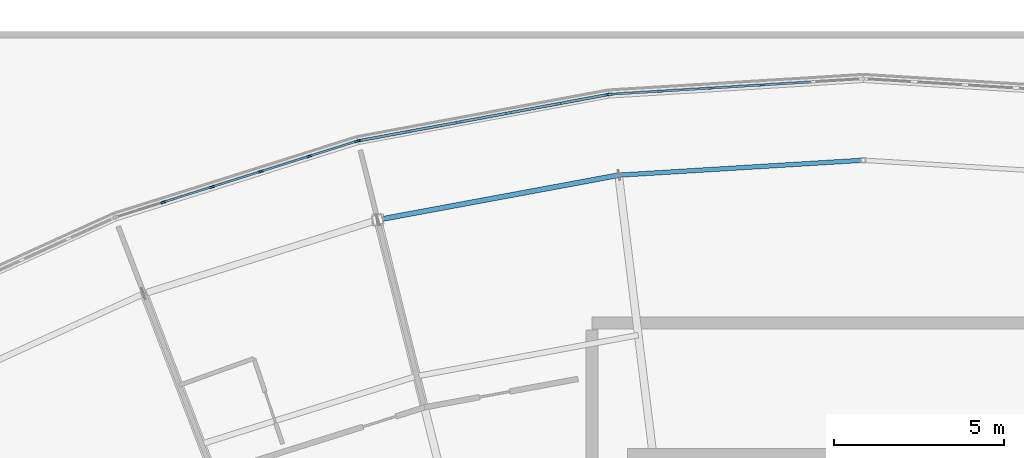
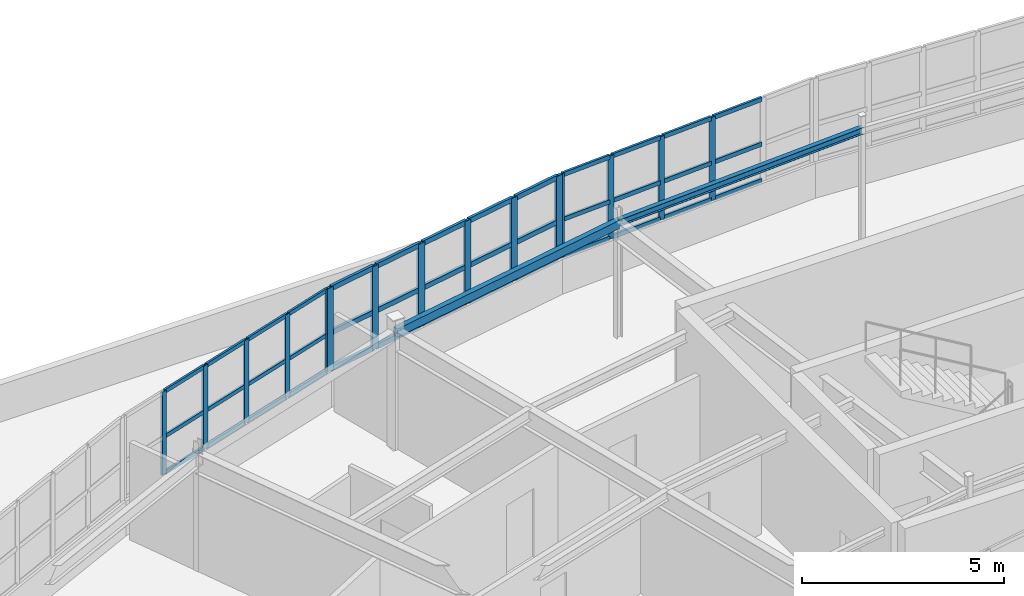
# One storey, part 46 of 128: 54 members, 2 beams, 3 elements without a shape of their own.
"""IFC4 building model written with IfcOpenShell, lengths in metres."""

from ifc_helpers import new_model, si_unit, direction, frame, origin, origin_2d, place, context, subcontext, project, spatial, rectangle, hollow_rectangle, i_section, extrude, material, layer, layer_set, material_profile, profile_set, type_object, element, aggregate, save


model = new_model("IFC4")

# Units and contexts
model_context = context("Model", 3, precision=1e-05, world=origin(), true_north=direction((0.0, 1.0)))
body_context = subcontext(model_context, "Body", "Model", "MODEL_VIEW")
ifc_project = project(units=[si_unit("LENGTHUNIT", "METRE"), si_unit("AREAUNIT", "SQUARE_METRE"), si_unit("VOLUMEUNIT", "CUBIC_METRE"), si_unit("PLANEANGLEUNIT", "RADIAN"), si_unit("MASSUNIT", "GRAM", prefix="KILO")], contexts=[model_context])

# Site, building, storey
site_placement = place(None, origin())
site = spatial("IfcSite", under=ifc_project, at=site_placement, CompositionType="ELEMENT")
building_placement = place(site_placement, origin())
building = spatial("IfcBuilding", under=site, at=building_placement, Name="Tarnwether General Hospital", CompositionType="ELEMENT")
storey_placement = place(building_placement, frame((0.0, 0.0, 14.39990234375)))
storey = spatial("IfcBuildingStorey", under=building, at=storey_placement, Name="L03", CompositionType="ELEMENT", Elevation=14.39990234375)

# Beams
ifc_material_1 = material(Name="Steel Grade C350L0 (350 MPa)", Category="steel")
ifc_material_profile_1 = material_profile(ifc_material_1, hollow_rectangle(XDim=0.14990234375, YDim=0.25, WallThickness=0.010009765625, at=origin_2d()), Name="RHS250x150x10")
ifc_profile_set_1 = profile_set([ifc_material_profile_1], Name="Steel Grade C350L0 (350 MPa)")
beam_type_1 = type_object("IfcBeamType", Name="BM-SP4", PredefinedType="SPANDREL", material=ifc_profile_set_1)
beam_1_placement = place(storey_placement, frame((77.677978515625, 120.44189453125, 3.43505859375), z_axis=(0.98325623662, 0.182228354399, 0.0), x_axis=(-0.182228354399, 0.98325623662, 0.0)))
element("IfcBeam", 1, at=beam_1_placement, inside=storey, type_object=beam_type_1, Name="Curved Ward NW Outer Spandrel BMG-L03-7768_12044-8478_12176-1931", PredefinedType="SPANDREL", context=body_context, shape_type="SweptSolid", body=[
    extrude(hollow_rectangle(XDim=0.14990234375, YDim=0.25, WallThickness=0.010009765625, at=origin_2d()), origin(), (0.0, 0.0, 1.0), 7.22802734375),
])
ifc_material_2 = material(Name="Steel Grade 350 (350 MPa)", Category="steel")
ifc_material_profile_2 = material_profile(ifc_material_2, i_section(OverallWidth=0.133056640625, OverallDepth=0.202880859375, WebThickness=0.005859375, FlangeThickness=0.0078125, at=origin_2d()), Name="200UB25.4")
ifc_profile_set_2 = profile_set([ifc_material_profile_2], Name="Steel Grade 350 (350 MPa)")
beam_type_2 = type_object("IfcBeamType", Name="BM-SP5", PredefinedType="SPANDREL", material=ifc_profile_set_2)
beam_2_placement = place(storey_placement, frame((84.784912109375, 121.759033203125, 3.45849609375), z_axis=(0.998137964221, 0.060996757127, 0.0), x_axis=(-0.060996757127, 0.998137964221, 0.0)))
element("IfcBeam", 2, at=beam_2_placement, inside=storey, type_object=beam_type_2, Name="Curved Ward NW Outer Spandrel BMG-L03-8478_12176-9200_12220-1935", PredefinedType="SPANDREL", context=body_context, shape_type="SweptSolid", body=[
    extrude(i_section(OverallWidth=0.133056640625, OverallDepth=0.202880859375, WebThickness=0.005859375, FlangeThickness=0.0078125, at=origin_2d()), origin(), (0.0, 0.0, 1.0), 7.228515625),
])

# Curtain wall, members
ifc_material_3 = material(Name="Anodised aluminium", Category="aluminium")
ifc_layer = layer(ifc_material_3, 0.159912109375)
ifc_layer_set = layer_set([ifc_layer], Name="Anodised aluminium")
curtain_wall_type = type_object("IfcCurtainWallType", Name="CW-01", PredefinedType="NOTDEFINED", material=ifc_layer_set)
curtain_wall_1_placement = place(storey_placement, origin())
curtain_wall_1 = element("IfcCurtainWall", 3, at=curtain_wall_1_placement, inside=storey, type_object=curtain_wall_type, Name="Curtain Wall CWG-L03-699_1205-0029", PredefinedType="NOTDEFINED")
ifc_material_4 = material(Name="Anodised aluminium", Category="aluminium")
ifc_material_profile_3 = material_profile(ifc_material_4, rectangle(XDim=0.06005859375, YDim=0.159912109375, at=origin_2d()), Name="ALU-MUL-60x160")
ifc_profile_set_3 = profile_set([ifc_material_profile_3], Name="Anodised aluminium")
member_type_1 = type_object("IfcMemberType", Name="CW-ML1", PredefinedType="MULLION", material=ifc_profile_set_3)
member_1_placement = place(storey_placement, frame((71.359619140625, 120.961181640625, 1.050048828125), z_axis=(0.0, 0.0, 1.0), x_axis=(-0.300628613299, 0.953741284032, 0.0)))
member_1 = element("IfcMember", 4, at=member_1_placement, type_object=member_type_1, Name="CW-01 mullion 2", PredefinedType="MULLION", context=body_context, shape_type="SweptSolid", body=[
    extrude(rectangle(XDim=0.06005859375, YDim=0.159912109375, at=origin_2d()), origin(), (0.0, 0.0, 1.0), 2.510009765625),
])
member_2_placement = place(storey_placement, frame((72.794189453125, 121.413330078125, 1.050048828125), z_axis=(0.0, 0.0, 1.0), x_axis=(-0.300628613299, 0.953741284032, 0.0)))
member_2 = element("IfcMember", 5, at=member_2_placement, type_object=member_type_1, Name="CW-01 mullion 3", PredefinedType="MULLION", context=body_context, shape_type="SweptSolid", body=[
    extrude(rectangle(XDim=0.06005859375, YDim=0.159912109375, at=origin_2d()), origin(), (0.0, 0.0, 1.0), 2.510009765625),
])
member_3_placement = place(storey_placement, frame((74.228759765625, 121.865478515625, 1.050048828125), z_axis=(0.0, 0.0, 1.0), x_axis=(-0.300628613299, 0.953741284032, 0.0)))
member_3 = element("IfcMember", 6, at=member_3_placement, type_object=member_type_1, Name="CW-01 mullion 4", PredefinedType="MULLION", context=body_context, shape_type="SweptSolid", body=[
    extrude(rectangle(XDim=0.06005859375, YDim=0.159912109375, at=origin_2d()), origin(), (0.0, 0.0, 1.0), 2.510009765625),
])
member_4_placement = place(storey_placement, frame((75.663330078125, 122.31787109375, 1.050048828125), z_axis=(0.0, 0.0, 1.0), x_axis=(-0.300628613299, 0.953741284032, 0.0)))
member_4 = element("IfcMember", 7, at=member_4_placement, type_object=member_type_1, Name="CW-01 mullion 5", PredefinedType="MULLION", context=body_context, shape_type="SweptSolid", body=[
    extrude(rectangle(XDim=0.06005859375, YDim=0.159912109375, at=origin_2d()), origin(), (0.0, 0.0, 1.0), 2.510009765625),
])
member_5_placement = place(storey_placement, frame((77.0693359375, 122.760986328125, 1.050048828125), z_axis=(0.0, 0.0, 1.0), x_axis=(-0.300628613299, 0.953741284032, 0.0)))
member_5 = element("IfcMember", 8, at=member_5_placement, type_object=member_type_1, Name="CW-01 mullion 6", PredefinedType="MULLION", context=body_context, shape_type="SweptSolid", body=[
    extrude(rectangle(XDim=0.06005859375, YDim=0.159912109375, at=origin_2d()), origin(), (0.0, 0.0, 1.0), 2.510009765625),
])

curtain_wall_2_placement = place(storey_placement, origin())
curtain_wall_2 = element("IfcCurtainWall", 9, at=curtain_wall_2_placement, inside=storey, type_object=curtain_wall_type, Name="Curtain Wall CWG-L03-845_1241-0027", PredefinedType="NOTDEFINED")
ifc_material_5 = material(Name="Anodised aluminium", Category="aluminium")
ifc_material_profile_4 = material_profile(ifc_material_5, rectangle(XDim=0.06494140625, YDim=0.169921875, at=origin_2d()), Name="ALU-MUL-65x170")
ifc_profile_set_4 = profile_set([ifc_material_profile_4], Name="Anodised aluminium")
member_type_2 = type_object("IfcMemberType", Name="CW-ML3", PredefinedType="MULLION", material=ifc_profile_set_4)
member_6_placement = place(storey_placement, frame((84.525390625, 124.14306640625, 1.050048828125), z_axis=(0.0, 0.0, 1.0), x_axis=(-0.061028962567, 0.998135995608, 0.0)))
member_6 = element("IfcMember", 10, at=member_6_placement, type_object=member_type_2, Name="CW-01 mullion 1", PredefinedType="MULLION", context=body_context, shape_type="SweptSolid", body=[
    extrude(rectangle(XDim=0.06494140625, YDim=0.169921875, at=origin_2d()), origin(), (0.0, 0.0, 1.0), 2.510009765625),
])
member_7_placement = place(storey_placement, frame((85.994384765625, 124.23291015625, 1.050048828125), z_axis=(0.0, 0.0, 1.0), x_axis=(-0.061028962567, 0.998135995608, 0.0)))
member_7 = element("IfcMember", 11, at=member_7_placement, type_object=member_type_2, Name="CW-01 mullion 2", PredefinedType="MULLION", context=body_context, shape_type="SweptSolid", body=[
    extrude(rectangle(XDim=0.06494140625, YDim=0.169921875, at=origin_2d()), origin(), (0.0, 0.0, 1.0), 2.510009765625),
])
member_8_placement = place(storey_placement, frame((87.495849609375, 124.32470703125, 1.050048828125), z_axis=(0.0, 0.0, 1.0), x_axis=(-0.061028962567, 0.998135995608, 0.0)))
member_8 = element("IfcMember", 12, at=member_8_placement, type_object=member_type_2, Name="CW-01 mullion 3", PredefinedType="MULLION", context=body_context, shape_type="SweptSolid", body=[
    extrude(rectangle(XDim=0.06494140625, YDim=0.169921875, at=origin_2d()), origin(), (0.0, 0.0, 1.0), 2.510009765625),
])
member_9_placement = place(storey_placement, frame((88.997314453125, 124.41650390625, 1.050048828125), z_axis=(0.0, 0.0, 1.0), x_axis=(-0.061028962567, 0.998135995608, 0.0)))
member_9 = element("IfcMember", 13, at=member_9_placement, type_object=member_type_2, Name="CW-01 mullion 4", PredefinedType="MULLION", context=body_context, shape_type="SweptSolid", body=[
    extrude(rectangle(XDim=0.06494140625, YDim=0.169921875, at=origin_2d()), origin(), (0.0, 0.0, 1.0), 2.510009765625),
])

curtain_wall_3_placement = place(storey_placement, origin())
curtain_wall_3 = element("IfcCurtainWall", 14, at=curtain_wall_3_placement, inside=storey, type_object=curtain_wall_type, Name="Curtain Wall CWG-L03-771_1228-0028", PredefinedType="NOTDEFINED")
ifc_material_6 = material(Name="Anodised aluminium", Category="aluminium")
ifc_material_profile_5 = material_profile(ifc_material_6, rectangle(XDim=0.080078125, YDim=0.199951171875, at=origin_2d()), Name="ALU-MUL-80x200")
ifc_profile_set_5 = profile_set([ifc_material_profile_5], Name="Anodised aluminium")
member_type_3 = type_object("IfcMemberType", Name="CW-ML4", PredefinedType="MULLION", material=ifc_profile_set_5)
member_10_placement = place(storey_placement, frame((77.137451171875, 122.77734375, 1.050048828125), z_axis=(0.0, 0.0, 1.0), x_axis=(-0.182289226614, 0.983244953132, 0.0)))
member_10 = element("IfcMember", 15, at=member_10_placement, type_object=member_type_3, Name="CW-01 mullion 1", PredefinedType="MULLION", context=body_context, shape_type="SweptSolid", body=[
    extrude(rectangle(XDim=0.080078125, YDim=0.199951171875, at=origin_2d()), origin(), (0.0, 0.0, 1.0), 2.510009765625),
])
member_11_placement = place(storey_placement, frame((78.576904296875, 123.044189453125, 1.050048828125), z_axis=(0.0, 0.0, 1.0), x_axis=(-0.182289226614, 0.983244953132, 0.0)))
member_11 = element("IfcMember", 16, at=member_11_placement, type_object=member_type_3, Name="CW-01 mullion 2", PredefinedType="MULLION", context=body_context, shape_type="SweptSolid", body=[
    extrude(rectangle(XDim=0.080078125, YDim=0.199951171875, at=origin_2d()), origin(), (0.0, 0.0, 1.0), 2.510009765625),
])
member_12_placement = place(storey_placement, frame((80.055908203125, 123.318359375, 1.050048828125), z_axis=(0.0, 0.0, 1.0), x_axis=(-0.182289226614, 0.983244953132, 0.0)))
member_12 = element("IfcMember", 17, at=member_12_placement, type_object=member_type_3, Name="CW-01 mullion 3", PredefinedType="MULLION", context=body_context, shape_type="SweptSolid", body=[
    extrude(rectangle(XDim=0.080078125, YDim=0.199951171875, at=origin_2d()), origin(), (0.0, 0.0, 1.0), 2.510009765625),
])
member_13_placement = place(storey_placement, frame((81.534912109375, 123.592529296875, 1.050048828125), z_axis=(0.0, 0.0, 1.0), x_axis=(-0.182289226614, 0.983244953132, 0.0)))
member_13 = element("IfcMember", 18, at=member_13_placement, type_object=member_type_3, Name="CW-01 mullion 4", PredefinedType="MULLION", context=body_context, shape_type="SweptSolid", body=[
    extrude(rectangle(XDim=0.080078125, YDim=0.199951171875, at=origin_2d()), origin(), (0.0, 0.0, 1.0), 2.510009765625),
])
member_14_placement = place(storey_placement, frame((83.013916015625, 123.86669921875, 1.050048828125), z_axis=(0.0, 0.0, 1.0), x_axis=(-0.182289226614, 0.983244953132, 0.0)))
member_14 = element("IfcMember", 19, at=member_14_placement, type_object=member_type_3, Name="CW-01 mullion 5", PredefinedType="MULLION", context=body_context, shape_type="SweptSolid", body=[
    extrude(rectangle(XDim=0.080078125, YDim=0.199951171875, at=origin_2d()), origin(), (0.0, 0.0, 1.0), 2.510009765625),
])
member_15_placement = place(storey_placement, frame((84.45361328125, 124.1337890625, 1.050048828125), z_axis=(0.0, 0.0, 1.0), x_axis=(-0.182289226614, 0.983244953132, 0.0)))
member_15 = element("IfcMember", 20, at=member_15_placement, type_object=member_type_3, Name="CW-01 mullion 6", PredefinedType="MULLION", context=body_context, shape_type="SweptSolid", body=[
    extrude(rectangle(XDim=0.080078125, YDim=0.199951171875, at=origin_2d()), origin(), (0.0, 0.0, 1.0), 2.510009765625),
])

# Member
ifc_material_7 = material(Name="Anodised aluminium", Category="aluminium")
ifc_material_profile_6 = material_profile(ifc_material_7, rectangle(XDim=0.06005859375, YDim=0.1201171875, at=origin_2d()), Name="ALU-TRN-60x120")
ifc_profile_set_6 = profile_set([ifc_material_profile_6], Name="Anodised aluminium")
member_type_4 = type_object("IfcMemberType", Name="CW-TR1", PredefinedType="USERDEFINED", material=ifc_profile_set_6)
member_16_placement = place(storey_placement, frame((71.38818359375, 120.97021484375, 1.080078125), z_axis=(0.953761337275, 0.300564987181, 0.0), x_axis=(-0.300564987181, 0.953761337275, 0.0)))
member_16 = element("IfcMember", 21, at=member_16_placement, type_object=member_type_4, Name="CW-01 transom 2.1", ObjectType="TRANSOM", PredefinedType="USERDEFINED", context=body_context, shape_type="SweptSolid", body=[
    extrude(rectangle(XDim=0.06005859375, YDim=0.1201171875, at=origin_2d()), origin(), (0.0, 0.0, 1.0), 1.4443359375),
])

member_17_placement = place(storey_placement, frame((71.38818359375, 120.97021484375, 2.1796875), z_axis=(0.953761337275, 0.300564987181, 0.0), x_axis=(-0.300564987181, 0.953761337275, 0.0)))
member_17 = element("IfcMember", 22, at=member_17_placement, type_object=member_type_4, Name="CW-01 transom 2.2", ObjectType="TRANSOM", PredefinedType="USERDEFINED", context=body_context, shape_type="SweptSolid", body=[
    extrude(rectangle(XDim=0.06005859375, YDim=0.1201171875, at=origin_2d()), origin(), (0.0, 0.0, 1.0), 1.4443359375),
])

member_18_placement = place(storey_placement, frame((71.38818359375, 120.97021484375, 3.530029296875), z_axis=(0.953761337275, 0.300564987181, 0.0), x_axis=(-0.300564987181, 0.953761337275, 0.0)))
member_18 = element("IfcMember", 23, at=member_18_placement, type_object=member_type_4, Name="CW-01 transom 2.3", ObjectType="TRANSOM", PredefinedType="USERDEFINED", context=body_context, shape_type="SweptSolid", body=[
    extrude(rectangle(XDim=0.06005859375, YDim=0.1201171875, at=origin_2d()), origin(), (0.0, 0.0, 1.0), 1.4443359375),
])

member_19_placement = place(storey_placement, frame((72.82275390625, 121.42236328125, 1.080078125), z_axis=(0.953712867195, 0.300718750574, 0.0), x_axis=(-0.300718750574, 0.953712867195, 0.0)))
member_19 = element("IfcMember", 24, at=member_19_placement, type_object=member_type_4, Name="CW-01 transom 3.1", ObjectType="TRANSOM", PredefinedType="USERDEFINED", context=body_context, shape_type="SweptSolid", body=[
    extrude(rectangle(XDim=0.06005859375, YDim=0.1201171875, at=origin_2d()), origin(), (0.0, 0.0, 1.0), 1.4443359375),
])

member_20_placement = place(storey_placement, frame((72.82275390625, 121.42236328125, 2.1796875), z_axis=(0.953712867195, 0.300718750574, 0.0), x_axis=(-0.300718750574, 0.953712867195, 0.0)))
member_20 = element("IfcMember", 25, at=member_20_placement, type_object=member_type_4, Name="CW-01 transom 3.2", ObjectType="TRANSOM", PredefinedType="USERDEFINED", context=body_context, shape_type="SweptSolid", body=[
    extrude(rectangle(XDim=0.06005859375, YDim=0.1201171875, at=origin_2d()), origin(), (0.0, 0.0, 1.0), 1.4443359375),
])

member_21_placement = place(storey_placement, frame((72.82275390625, 121.42236328125, 3.530029296875), z_axis=(0.953712867195, 0.300718750574, 0.0), x_axis=(-0.300718750574, 0.953712867195, 0.0)))
member_21 = element("IfcMember", 26, at=member_21_placement, type_object=member_type_4, Name="CW-01 transom 3.3", ObjectType="TRANSOM", PredefinedType="USERDEFINED", context=body_context, shape_type="SweptSolid", body=[
    extrude(rectangle(XDim=0.06005859375, YDim=0.1201171875, at=origin_2d()), origin(), (0.0, 0.0, 1.0), 1.4443359375),
])

member_22_placement = place(storey_placement, frame((74.25732421875, 121.87451171875, 1.080078125), z_axis=(0.953712867195, 0.300718750574, 0.0), x_axis=(-0.300718750574, 0.953712867195, 0.0)))
member_22 = element("IfcMember", 27, at=member_22_placement, type_object=member_type_4, Name="CW-01 transom 4.1", ObjectType="TRANSOM", PredefinedType="USERDEFINED", context=body_context, shape_type="SweptSolid", body=[
    extrude(rectangle(XDim=0.06005859375, YDim=0.1201171875, at=origin_2d()), origin(), (0.0, 0.0, 1.0), 1.4443359375),
])

member_23_placement = place(storey_placement, frame((74.25732421875, 121.87451171875, 2.1796875), z_axis=(0.953712867195, 0.300718750574, 0.0), x_axis=(-0.300718750574, 0.953712867195, 0.0)))
member_23 = element("IfcMember", 28, at=member_23_placement, type_object=member_type_4, Name="CW-01 transom 4.2", ObjectType="TRANSOM", PredefinedType="USERDEFINED", context=body_context, shape_type="SweptSolid", body=[
    extrude(rectangle(XDim=0.06005859375, YDim=0.1201171875, at=origin_2d()), origin(), (0.0, 0.0, 1.0), 1.4443359375),
])

member_24_placement = place(storey_placement, frame((74.25732421875, 121.87451171875, 3.530029296875), z_axis=(0.953712867195, 0.300718750574, 0.0), x_axis=(-0.300718750574, 0.953712867195, 0.0)))
member_24 = element("IfcMember", 29, at=member_24_placement, type_object=member_type_4, Name="CW-01 transom 4.3", ObjectType="TRANSOM", PredefinedType="USERDEFINED", context=body_context, shape_type="SweptSolid", body=[
    extrude(rectangle(XDim=0.06005859375, YDim=0.1201171875, at=origin_2d()), origin(), (0.0, 0.0, 1.0), 1.4443359375),
])

member_25_placement = place(storey_placement, frame((75.69189453125, 122.326904296875, 1.080078125), z_axis=(0.95376772244, 0.300544724845, 0.0), x_axis=(-0.300544724845, 0.95376772244, 0.0)))
member_25 = element("IfcMember", 30, at=member_25_placement, type_object=member_type_4, Name="CW-01 transom 5.1", ObjectType="TRANSOM", PredefinedType="USERDEFINED", context=body_context, shape_type="SweptSolid", body=[
    extrude(rectangle(XDim=0.06005859375, YDim=0.1201171875, at=origin_2d()), origin(), (0.0, 0.0, 1.0), 1.414306640625),
])

member_26_placement = place(storey_placement, frame((75.69189453125, 122.326904296875, 2.1796875), z_axis=(0.95376772244, 0.300544724845, 0.0), x_axis=(-0.300544724845, 0.95376772244, 0.0)))
member_26 = element("IfcMember", 31, at=member_26_placement, type_object=member_type_4, Name="CW-01 transom 5.2", ObjectType="TRANSOM", PredefinedType="USERDEFINED", context=body_context, shape_type="SweptSolid", body=[
    extrude(rectangle(XDim=0.06005859375, YDim=0.1201171875, at=origin_2d()), origin(), (0.0, 0.0, 1.0), 1.414306640625),
])

member_27_placement = place(storey_placement, frame((75.69189453125, 122.326904296875, 3.530029296875), z_axis=(0.95376772244, 0.300544724845, 0.0), x_axis=(-0.300544724845, 0.95376772244, 0.0)))
member_27 = element("IfcMember", 32, at=member_27_placement, type_object=member_type_4, Name="CW-01 transom 5.3", ObjectType="TRANSOM", PredefinedType="USERDEFINED", context=body_context, shape_type="SweptSolid", body=[
    extrude(rectangle(XDim=0.06005859375, YDim=0.1201171875, at=origin_2d()), origin(), (0.0, 0.0, 1.0), 1.414306640625),
])

aggregate(curtain_wall_1, [member_1, member_2, member_3, member_4, member_5, member_16, member_17, member_18, member_19, member_20, member_21, member_22, member_23, member_24, member_25, member_26, member_27])

ifc_material_8 = material(Name="Anodised aluminium", Category="aluminium")
ifc_material_profile_7 = material_profile(ifc_material_8, rectangle(XDim=0.06494140625, YDim=0.1298828125, at=origin_2d()), Name="ALU-TRN-65x130")
ifc_profile_set_7 = profile_set([ifc_material_profile_7], Name="Anodised aluminium")
member_type_5 = type_object("IfcMemberType", Name="CW-TR3", PredefinedType="USERDEFINED", material=ifc_profile_set_7)
member_28_placement = place(storey_placement, frame((84.557861328125, 124.14501953125, 1.08251953125), z_axis=(0.998142682054, 0.060919506416, 0.0), x_axis=(-0.060919506416, 0.998142682054, 0.0)))
member_28 = element("IfcMember", 33, at=member_28_placement, type_object=member_type_5, Name="CW-01 transom 1.1", ObjectType="TRANSOM", PredefinedType="USERDEFINED", context=body_context, shape_type="SweptSolid", body=[
    extrude(rectangle(XDim=0.06494140625, YDim=0.1298828125, at=origin_2d()), origin(), (0.0, 0.0, 1.0), 1.40673828125),
])

member_29_placement = place(storey_placement, frame((84.557861328125, 124.14501953125, 2.1796875), z_axis=(0.998142682054, 0.060919506416, 0.0), x_axis=(-0.060919506416, 0.998142682054, 0.0)))
member_29 = element("IfcMember", 34, at=member_29_placement, type_object=member_type_5, Name="CW-01 transom 1.2", ObjectType="TRANSOM", PredefinedType="USERDEFINED", context=body_context, shape_type="SweptSolid", body=[
    extrude(rectangle(XDim=0.06494140625, YDim=0.1298828125, at=origin_2d()), origin(), (0.0, 0.0, 1.0), 1.40673828125),
])

member_30_placement = place(storey_placement, frame((84.557861328125, 124.14501953125, 3.527587890625), z_axis=(0.998142682054, 0.060919506416, 0.0), x_axis=(-0.060919506416, 0.998142682054, 0.0)))
member_30 = element("IfcMember", 35, at=member_30_placement, type_object=member_type_5, Name="CW-01 transom 1.3", ObjectType="TRANSOM", PredefinedType="USERDEFINED", context=body_context, shape_type="SweptSolid", body=[
    extrude(rectangle(XDim=0.06494140625, YDim=0.1298828125, at=origin_2d()), origin(), (0.0, 0.0, 1.0), 1.40673828125),
])

member_31_placement = place(storey_placement, frame((86.02685546875, 124.23486328125, 1.08251953125), z_axis=(0.998143892538, 0.060899669854, 0.0), x_axis=(-0.060899669854, 0.998143892538, 0.0)))
member_31 = element("IfcMember", 36, at=member_31_placement, type_object=member_type_5, Name="CW-01 transom 2.1", ObjectType="TRANSOM", PredefinedType="USERDEFINED", context=body_context, shape_type="SweptSolid", body=[
    extrude(rectangle(XDim=0.06494140625, YDim=0.1298828125, at=origin_2d()), origin(), (0.0, 0.0, 1.0), 1.439208984375),
])

member_32_placement = place(storey_placement, frame((86.02685546875, 124.23486328125, 2.1796875), z_axis=(0.998143892538, 0.060899669854, 0.0), x_axis=(-0.060899669854, 0.998143892538, 0.0)))
member_32 = element("IfcMember", 37, at=member_32_placement, type_object=member_type_5, Name="CW-01 transom 2.2", ObjectType="TRANSOM", PredefinedType="USERDEFINED", context=body_context, shape_type="SweptSolid", body=[
    extrude(rectangle(XDim=0.06494140625, YDim=0.1298828125, at=origin_2d()), origin(), (0.0, 0.0, 1.0), 1.439208984375),
])

member_33_placement = place(storey_placement, frame((86.02685546875, 124.23486328125, 3.527587890625), z_axis=(0.998143892538, 0.060899669854, 0.0), x_axis=(-0.060899669854, 0.998143892538, 0.0)))
member_33 = element("IfcMember", 38, at=member_33_placement, type_object=member_type_5, Name="CW-01 transom 2.3", ObjectType="TRANSOM", PredefinedType="USERDEFINED", context=body_context, shape_type="SweptSolid", body=[
    extrude(rectangle(XDim=0.06494140625, YDim=0.1298828125, at=origin_2d()), origin(), (0.0, 0.0, 1.0), 1.439208984375),
])

member_34_placement = place(storey_placement, frame((87.5283203125, 124.32666015625, 1.08251953125), z_axis=(0.998143892538, 0.060899669854, 0.0), x_axis=(-0.060899669854, 0.998143892538, 0.0)))
member_34 = element("IfcMember", 39, at=member_34_placement, type_object=member_type_5, Name="CW-01 transom 3.1", ObjectType="TRANSOM", PredefinedType="USERDEFINED", context=body_context, shape_type="SweptSolid", body=[
    extrude(rectangle(XDim=0.06494140625, YDim=0.1298828125, at=origin_2d()), origin(), (0.0, 0.0, 1.0), 1.439208984375),
])

member_35_placement = place(storey_placement, frame((87.5283203125, 124.32666015625, 2.1796875), z_axis=(0.998143892538, 0.060899669854, 0.0), x_axis=(-0.060899669854, 0.998143892538, 0.0)))
member_35 = element("IfcMember", 40, at=member_35_placement, type_object=member_type_5, Name="CW-01 transom 3.2", ObjectType="TRANSOM", PredefinedType="USERDEFINED", context=body_context, shape_type="SweptSolid", body=[
    extrude(rectangle(XDim=0.06494140625, YDim=0.1298828125, at=origin_2d()), origin(), (0.0, 0.0, 1.0), 1.439208984375),
])

member_36_placement = place(storey_placement, frame((87.5283203125, 124.32666015625, 3.527587890625), z_axis=(0.998143892538, 0.060899669854, 0.0), x_axis=(-0.060899669854, 0.998143892538, 0.0)))
member_36 = element("IfcMember", 41, at=member_36_placement, type_object=member_type_5, Name="CW-01 transom 3.3", ObjectType="TRANSOM", PredefinedType="USERDEFINED", context=body_context, shape_type="SweptSolid", body=[
    extrude(rectangle(XDim=0.06494140625, YDim=0.1298828125, at=origin_2d()), origin(), (0.0, 0.0, 1.0), 1.439208984375),
])

member_37_placement = place(storey_placement, frame((89.029541015625, 124.41845703125, 1.08251953125), z_axis=(0.998143892538, 0.060899669854, 0.0), x_axis=(-0.060899669854, 0.998143892538, 0.0)))
member_37 = element("IfcMember", 42, at=member_37_placement, type_object=member_type_5, Name="CW-01 transom 4.1", ObjectType="TRANSOM", PredefinedType="USERDEFINED", context=body_context, shape_type="SweptSolid", body=[
    extrude(rectangle(XDim=0.06494140625, YDim=0.1298828125, at=origin_2d()), origin(), (0.0, 0.0, 1.0), 1.439208984375),
])

member_38_placement = place(storey_placement, frame((89.029541015625, 124.41845703125, 2.1796875), z_axis=(0.998143892538, 0.060899669854, 0.0), x_axis=(-0.060899669854, 0.998143892538, 0.0)))
member_38 = element("IfcMember", 43, at=member_38_placement, type_object=member_type_5, Name="CW-01 transom 4.2", ObjectType="TRANSOM", PredefinedType="USERDEFINED", context=body_context, shape_type="SweptSolid", body=[
    extrude(rectangle(XDim=0.06494140625, YDim=0.1298828125, at=origin_2d()), origin(), (0.0, 0.0, 1.0), 1.439208984375),
])

member_39_placement = place(storey_placement, frame((89.029541015625, 124.41845703125, 3.527587890625), z_axis=(0.998143892538, 0.060899669854, 0.0), x_axis=(-0.060899669854, 0.998143892538, 0.0)))
member_39 = element("IfcMember", 44, at=member_39_placement, type_object=member_type_5, Name="CW-01 transom 4.3", ObjectType="TRANSOM", PredefinedType="USERDEFINED", context=body_context, shape_type="SweptSolid", body=[
    extrude(rectangle(XDim=0.06494140625, YDim=0.1298828125, at=origin_2d()), origin(), (0.0, 0.0, 1.0), 1.439208984375),
])

aggregate(curtain_wall_2, [member_6, member_7, member_8, member_9, member_28, member_29, member_30, member_31, member_32, member_33, member_34, member_35, member_36, member_37, member_38, member_39])

ifc_material_9 = material(Name="Anodised aluminium", Category="aluminium")
ifc_material_profile_8 = material_profile(ifc_material_9, rectangle(XDim=0.080078125, YDim=0.14990234375, at=origin_2d()), Name="ALU-TRN-80x150")
ifc_profile_set_8 = profile_set([ifc_material_profile_8], Name="Anodised aluminium")
member_type_6 = type_object("IfcMemberType", Name="CW-TR4", PredefinedType="USERDEFINED", material=ifc_profile_set_8)
member_40_placement = place(storey_placement, frame((77.1767578125, 122.78466796875, 1.090087890625), z_axis=(0.983257430954, 0.182221909971, 0.0), x_axis=(-0.182221909971, 0.983257430954, 0.0)))
member_40 = element("IfcMember", 45, at=member_40_placement, type_object=member_type_6, Name="CW-01 transom 1.1", ObjectType="TRANSOM", PredefinedType="USERDEFINED", context=body_context, shape_type="SweptSolid", body=[
    extrude(rectangle(XDim=0.080078125, YDim=0.14990234375, at=origin_2d()), origin(), (0.0, 0.0, 1.0), 1.384033203125),
])

member_41_placement = place(storey_placement, frame((77.1767578125, 122.78466796875, 2.1796875), z_axis=(0.983257430954, 0.182221909971, 0.0), x_axis=(-0.182221909971, 0.983257430954, 0.0)))
member_41 = element("IfcMember", 46, at=member_41_placement, type_object=member_type_6, Name="CW-01 transom 1.2", ObjectType="TRANSOM", PredefinedType="USERDEFINED", context=body_context, shape_type="SweptSolid", body=[
    extrude(rectangle(XDim=0.080078125, YDim=0.14990234375, at=origin_2d()), origin(), (0.0, 0.0, 1.0), 1.384033203125),
])

member_42_placement = place(storey_placement, frame((77.1767578125, 122.78466796875, 3.52001953125), z_axis=(0.983257430954, 0.182221909971, 0.0), x_axis=(-0.182221909971, 0.983257430954, 0.0)))
member_42 = element("IfcMember", 47, at=member_42_placement, type_object=member_type_6, Name="CW-01 transom 1.3", ObjectType="TRANSOM", PredefinedType="USERDEFINED", context=body_context, shape_type="SweptSolid", body=[
    extrude(rectangle(XDim=0.080078125, YDim=0.14990234375, at=origin_2d()), origin(), (0.0, 0.0, 1.0), 1.384033203125),
])

member_43_placement = place(storey_placement, frame((78.6162109375, 123.051513671875, 1.090087890625), z_axis=(0.983258125219, 0.182218163722, 0.0), x_axis=(-0.182218163722, 0.983258125219, 0.0)))
member_43 = element("IfcMember", 48, at=member_43_placement, type_object=member_type_6, Name="CW-01 transom 2.1", ObjectType="TRANSOM", PredefinedType="USERDEFINED", context=body_context, shape_type="SweptSolid", body=[
    extrude(rectangle(XDim=0.080078125, YDim=0.14990234375, at=origin_2d()), origin(), (0.0, 0.0, 1.0), 1.42431640625),
])

member_44_placement = place(storey_placement, frame((78.6162109375, 123.051513671875, 2.1796875), z_axis=(0.983258125219, 0.182218163722, 0.0), x_axis=(-0.182218163722, 0.983258125219, 0.0)))
member_44 = element("IfcMember", 49, at=member_44_placement, type_object=member_type_6, Name="CW-01 transom 2.2", ObjectType="TRANSOM", PredefinedType="USERDEFINED", context=body_context, shape_type="SweptSolid", body=[
    extrude(rectangle(XDim=0.080078125, YDim=0.14990234375, at=origin_2d()), origin(), (0.0, 0.0, 1.0), 1.42431640625),
])

member_45_placement = place(storey_placement, frame((78.6162109375, 123.051513671875, 3.52001953125), z_axis=(0.983258125219, 0.182218163722, 0.0), x_axis=(-0.182218163722, 0.983258125219, 0.0)))
member_45 = element("IfcMember", 50, at=member_45_placement, type_object=member_type_6, Name="CW-01 transom 2.3", ObjectType="TRANSOM", PredefinedType="USERDEFINED", context=body_context, shape_type="SweptSolid", body=[
    extrude(rectangle(XDim=0.080078125, YDim=0.14990234375, at=origin_2d()), origin(), (0.0, 0.0, 1.0), 1.42431640625),
])

member_46_placement = place(storey_placement, frame((80.09521484375, 123.32568359375, 1.090087890625), z_axis=(0.983258125219, 0.182218163722, 0.0), x_axis=(-0.182218163722, 0.983258125219, 0.0)))
member_46 = element("IfcMember", 51, at=member_46_placement, type_object=member_type_6, Name="CW-01 transom 3.1", ObjectType="TRANSOM", PredefinedType="USERDEFINED", context=body_context, shape_type="SweptSolid", body=[
    extrude(rectangle(XDim=0.080078125, YDim=0.14990234375, at=origin_2d()), origin(), (0.0, 0.0, 1.0), 1.42431640625),
])

member_47_placement = place(storey_placement, frame((80.09521484375, 123.32568359375, 2.1796875), z_axis=(0.983258125219, 0.182218163722, 0.0), x_axis=(-0.182218163722, 0.983258125219, 0.0)))
member_47 = element("IfcMember", 52, at=member_47_placement, type_object=member_type_6, Name="CW-01 transom 3.2", ObjectType="TRANSOM", PredefinedType="USERDEFINED", context=body_context, shape_type="SweptSolid", body=[
    extrude(rectangle(XDim=0.080078125, YDim=0.14990234375, at=origin_2d()), origin(), (0.0, 0.0, 1.0), 1.42431640625),
])

member_48_placement = place(storey_placement, frame((80.09521484375, 123.32568359375, 3.52001953125), z_axis=(0.983258125219, 0.182218163722, 0.0), x_axis=(-0.182218163722, 0.983258125219, 0.0)))
member_48 = element("IfcMember", 53, at=member_48_placement, type_object=member_type_6, Name="CW-01 transom 3.3", ObjectType="TRANSOM", PredefinedType="USERDEFINED", context=body_context, shape_type="SweptSolid", body=[
    extrude(rectangle(XDim=0.080078125, YDim=0.14990234375, at=origin_2d()), origin(), (0.0, 0.0, 1.0), 1.42431640625),
])

member_49_placement = place(storey_placement, frame((81.57421875, 123.599853515625, 1.090087890625), z_axis=(0.983227399541, 0.182383883039, 0.0), x_axis=(-0.182383883039, 0.983227399541, 0.0)))
member_49 = element("IfcMember", 54, at=member_49_placement, type_object=member_type_6, Name="CW-01 transom 4.1", ObjectType="TRANSOM", PredefinedType="USERDEFINED", context=body_context, shape_type="SweptSolid", body=[
    extrude(rectangle(XDim=0.080078125, YDim=0.14990234375, at=origin_2d()), origin(), (0.0, 0.0, 1.0), 1.42431640625),
])

member_50_placement = place(storey_placement, frame((81.57421875, 123.599853515625, 2.1796875), z_axis=(0.983227399541, 0.182383883039, 0.0), x_axis=(-0.182383883039, 0.983227399541, 0.0)))
member_50 = element("IfcMember", 55, at=member_50_placement, type_object=member_type_6, Name="CW-01 transom 4.2", ObjectType="TRANSOM", PredefinedType="USERDEFINED", context=body_context, shape_type="SweptSolid", body=[
    extrude(rectangle(XDim=0.080078125, YDim=0.14990234375, at=origin_2d()), origin(), (0.0, 0.0, 1.0), 1.42431640625),
])

member_51_placement = place(storey_placement, frame((81.57421875, 123.599853515625, 3.52001953125), z_axis=(0.983227399541, 0.182383883039, 0.0), x_axis=(-0.182383883039, 0.983227399541, 0.0)))
member_51 = element("IfcMember", 56, at=member_51_placement, type_object=member_type_6, Name="CW-01 transom 4.3", ObjectType="TRANSOM", PredefinedType="USERDEFINED", context=body_context, shape_type="SweptSolid", body=[
    extrude(rectangle(XDim=0.080078125, YDim=0.14990234375, at=origin_2d()), origin(), (0.0, 0.0, 1.0), 1.42431640625),
])

member_52_placement = place(storey_placement, frame((83.05322265625, 123.8740234375, 1.090087890625), z_axis=(0.983231677893, 0.18236081703, 0.0), x_axis=(-0.18236081703, 0.983231677893, 0.0)))
member_52 = element("IfcMember", 57, at=member_52_placement, type_object=member_type_6, Name="CW-01 transom 5.1", ObjectType="TRANSOM", PredefinedType="USERDEFINED", context=body_context, shape_type="SweptSolid", body=[
    extrude(rectangle(XDim=0.080078125, YDim=0.14990234375, at=origin_2d()), origin(), (0.0, 0.0, 1.0), 1.38427734375),
])

member_53_placement = place(storey_placement, frame((83.05322265625, 123.8740234375, 2.1796875), z_axis=(0.983231677893, 0.18236081703, 0.0), x_axis=(-0.18236081703, 0.983231677893, 0.0)))
member_53 = element("IfcMember", 58, at=member_53_placement, type_object=member_type_6, Name="CW-01 transom 5.2", ObjectType="TRANSOM", PredefinedType="USERDEFINED", context=body_context, shape_type="SweptSolid", body=[
    extrude(rectangle(XDim=0.080078125, YDim=0.14990234375, at=origin_2d()), origin(), (0.0, 0.0, 1.0), 1.38427734375),
])

member_54_placement = place(storey_placement, frame((83.05322265625, 123.8740234375, 3.52001953125), z_axis=(0.983231677893, 0.18236081703, 0.0), x_axis=(-0.18236081703, 0.983231677893, 0.0)))
member_54 = element("IfcMember", 59, at=member_54_placement, type_object=member_type_6, Name="CW-01 transom 5.3", ObjectType="TRANSOM", PredefinedType="USERDEFINED", context=body_context, shape_type="SweptSolid", body=[
    extrude(rectangle(XDim=0.080078125, YDim=0.14990234375, at=origin_2d()), origin(), (0.0, 0.0, 1.0), 1.38427734375),
])

aggregate(curtain_wall_3, [member_10, member_11, member_12, member_13, member_14, member_15, member_40, member_41, member_42, member_43, member_44, member_45, member_46, member_47, member_48, member_49, member_50, member_51, member_52, member_53, member_54])

save(model, "model.ifc")
